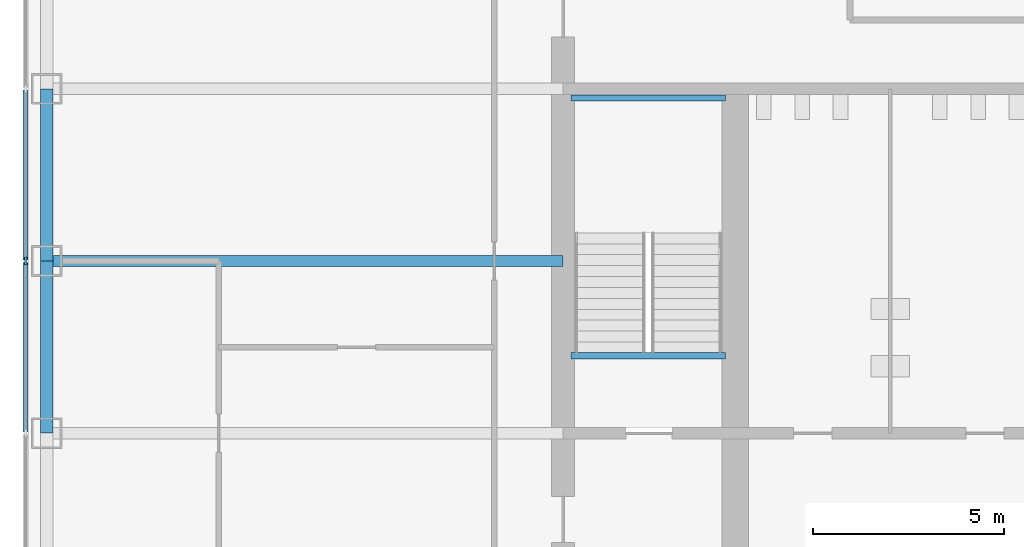
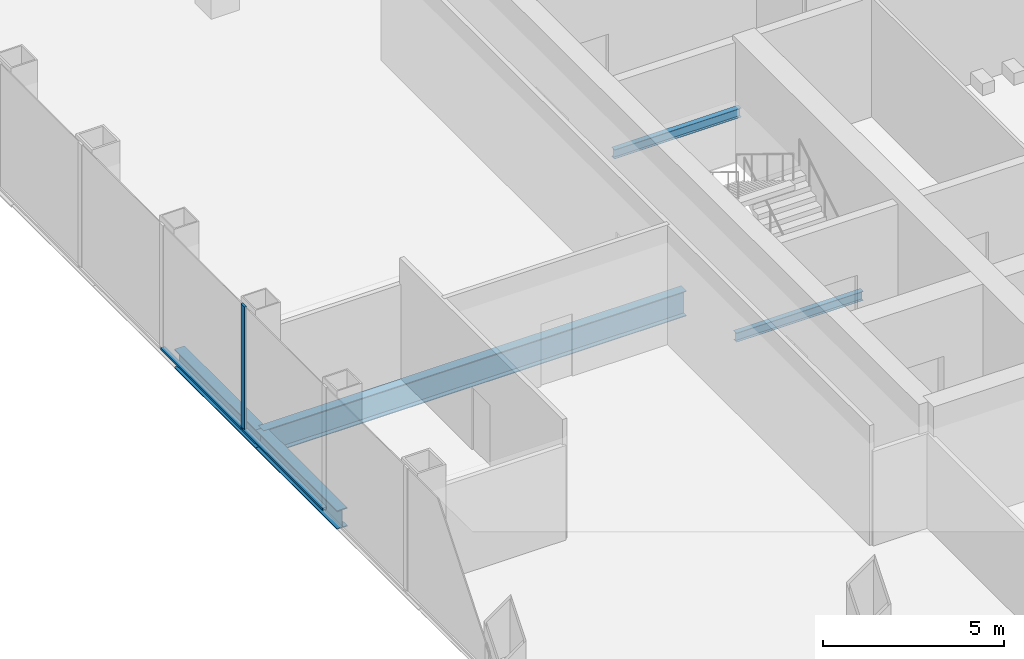
# One storey, part 3 of 13: 5 beams, 3 members, 1 element without a shape of its own.
"""IFC4 building model written with IfcOpenShell, lengths in metres."""

from ifc_helpers import new_model, si_unit, direction, frame, origin, origin_2d, place, context, subcontext, project, spatial, rectangle, i_section, extrude, material, material_profile, profile_set, type_object, element, aggregate, save


model = new_model("IFC4")

# Units and contexts
model_context = context("Model", 3, precision=1e-05, world=origin(), true_north=direction((0.0, 1.0)))
body_context = subcontext(model_context, "Body", "Model", "MODEL_VIEW")
ifc_project = project(units=[si_unit("LENGTHUNIT", "METRE"), si_unit("AREAUNIT", "SQUARE_METRE"), si_unit("VOLUMEUNIT", "CUBIC_METRE"), si_unit("PLANEANGLEUNIT", "RADIAN"), si_unit("MASSUNIT", "GRAM", prefix="KILO")], contexts=[model_context])

# Site, building, storey
site_placement = place(None, origin())
site = spatial("IfcSite", under=ifc_project, at=site_placement, CompositionType="ELEMENT")
building_placement = place(site_placement, origin())
building = spatial("IfcBuilding", under=site, at=building_placement, Name="Corais Broadcast Tower", CompositionType="ELEMENT")
storey_placement = place(building_placement, frame((0.0, 0.0, 66.800048828125)))
storey = spatial("IfcBuildingStorey", under=building, at=storey_placement, Name="L14", CompositionType="ELEMENT", Elevation=66.800048828125)

# Beams
ifc_material_1 = material(Name="Steel ASTM A572 Grade 50", Category="steel")
ifc_material_profile_1 = material_profile(ifc_material_1, i_section(OverallWidth=0.2939453125, OverallDepth=0.85107421875, WebThickness=0.01611328125, FlangeThickness=0.02685546875, at=origin_2d()), Name="W840x226")
ifc_profile_set_1 = profile_set([ifc_material_profile_1], Name="Steel ASTM A572 Grade 50")
beam_type_1 = type_object("IfcBeamType", Name="Floor beam W840x226", PredefinedType="BEAM", material=ifc_profile_set_1)
beam_placement = place(storey_placement, frame((0.0, 27.0, -0.58544921875), z_axis=(1.0, 0.0, 0.0), x_axis=(0.0, 1.0, 0.0)))
element("IfcBeam", 1, at=beam_placement, inside=storey, type_object=beam_type_1, Name="B1 G/3 to G/6", PredefinedType="BEAM", context=body_context, shape_type="SweptSolid", body=[
    extrude(i_section(OverallWidth=0.2939453125, OverallDepth=0.85107421875, WebThickness=0.01611328125, FlangeThickness=0.02685546875, at=origin_2d()), origin(), (0.0, 0.0, 1.0), 13.5),
])
ifc_material_2 = material(Name="Steel ASTM A572 Grade 50", Category="steel")
ifc_material_profile_2 = material_profile(ifc_material_2, i_section(OverallWidth=0.1650390625, OverallDepth=0.31005859375, WebThickness=0.005859375, FlangeThickness=0.009765625, at=origin_2d()), Name="W310x38.7")
ifc_profile_set_2 = profile_set([ifc_material_profile_2], Name="Steel ASTM A572 Grade 50")
beam_type_2 = type_object("IfcBeamType", Name="Landing trimmer W310x38.7", PredefinedType="BEAM", material=ifc_profile_set_2)
for number, where, z_axis, x_axis, name in (
    (2, (13.699951171875, 24.52490234375, -0.35498046875), (1.0, 0.0, 0.0), (0.0, 1.0, 0.0), "LT1 stair A landing trimmer L14"),
    (3, (13.699951171875, 31.260009765625, 1.744873046875), (1.0, 0.0, 0.0), (0.0, 1.0, 0.0), "LT1 stair A half landing trimmer L14"),
):
    element("IfcBeam", number, at=place(storey_placement, frame(where, z_axis=z_axis, x_axis=x_axis)), inside=storey, type_object=beam_type_2, Name=name, PredefinedType="BEAM", context=body_context, shape_type="SweptSolid", body=[
        extrude(i_section(OverallWidth=0.1650390625, OverallDepth=0.31005859375, WebThickness=0.005859375, FlangeThickness=0.009765625, at=origin_2d()), origin(), (0.0, 0.0, 1.0), 4.050048828125),
    ])

# Curtain wall, member
ifc_material_3 = material(Name="Aluminium and glass", Category="aluminium")
curtain_wall_type = type_object("IfcCurtainWallType", Name="Unitised fritted curtain wall CW1", PredefinedType="NOTDEFINED", material=ifc_material_3)
curtain_wall_placement = place(storey_placement, origin())
curtain_wall = element("IfcCurtainWall", 4, at=curtain_wall_placement, inside=storey, type_object=curtain_wall_type, Name="CW1 curtain wall L14 2", PredefinedType="NOTDEFINED")
ifc_material_4 = material(Name="Aluminium 6063-T6", Category="aluminium")
ifc_material_profile_3 = material_profile(ifc_material_4, rectangle(XDim=0.06494140625, YDim=0.199951171875, at=origin_2d()), Name="Mullion CW1 65x200")
ifc_profile_set_3 = profile_set([ifc_material_profile_3], Name="Aluminium 6063-T6")
member_type_1 = type_object("IfcMemberType", Name="Mullion CW1 65x200", PredefinedType="MULLION", material=ifc_profile_set_3)
member_1_placement = place(storey_placement, frame((-0.550048828125, 27.0, 0.0), z_axis=(0.0, 0.0, 1.0), x_axis=(-1.0, 0.0, 0.0)))
member_1 = element("IfcMember", 5, at=member_1_placement, type_object=member_type_1, Name="CW1 mullion 6", PredefinedType="MULLION", context=body_context, shape_type="SweptSolid", body=[
    extrude(rectangle(XDim=0.06494140625, YDim=0.199951171875, at=origin_2d()), origin(), (0.0, 0.0, 1.0), 4.199951171875),
])

# Beams
ifc_material_5 = material(Name="Steel ASTM A572 Grade 50", Category="steel")
ifc_material_profile_4 = material_profile(ifc_material_5, i_section(OverallWidth=0.3291015625, OverallDepth=0.635009765625, WebThickness=0.017822265625, FlangeThickness=0.031005859375, at=origin_2d()), Name="W610x241")
ifc_profile_set_4 = profile_set([ifc_material_profile_4], Name="Steel ASTM A572 Grade 50")
beam_type_3 = type_object("IfcBeamType", Name="Spandrel W610x241", PredefinedType="BEAM", material=ifc_profile_set_4)
for number, where, z_axis, x_axis, name in (
    (6, (0.0, 27.0, -0.4775390625), (0.0, -1.0, 0.0), (1.0, 0.0, 0.0), "SB1 G/3 to F/3"),
    (7, (0.0, 31.5, -0.4775390625), (0.0, -1.0, 0.0), (1.0, 0.0, 0.0), "SB1 H/3 to G/3"),
):
    element("IfcBeam", number, at=place(storey_placement, frame(where, z_axis=z_axis, x_axis=x_axis)), inside=storey, type_object=beam_type_3, Name=name, PredefinedType="BEAM", context=body_context, shape_type="SweptSolid", body=[
        extrude(i_section(OverallWidth=0.3291015625, OverallDepth=0.635009765625, WebThickness=0.017822265625, FlangeThickness=0.031005859375, at=origin_2d()), origin(), (0.0, 0.0, 1.0), 4.5),
    ])

# Member
ifc_material_6 = material(Name="Aluminium 6063-T6", Category="aluminium")
ifc_material_profile_5 = material_profile(ifc_material_6, rectangle(XDim=0.139892578125, YDim=0.06494140625, at=origin_2d()), Name="Transom CW1 65x140")
ifc_profile_set_5 = profile_set([ifc_material_profile_5], Name="Aluminium 6063-T6")
member_type_2 = type_object("IfcMemberType", Name="Transom CW1 65x140", PredefinedType="USERDEFINED", material=ifc_profile_set_5)
member_2_placement = place(storey_placement, frame((-0.550048828125, 22.532470703125, 0.032470703125), z_axis=(0.0, 1.0, 0.0), x_axis=(-1.0, 0.0, 0.0)))
member_2 = element("IfcMember", 8, at=member_2_placement, type_object=member_type_2, Name="CW1 transom 5.1", ObjectType="TRANSOM", PredefinedType="USERDEFINED", context=body_context, shape_type="SweptSolid", body=[
    extrude(rectangle(XDim=0.139892578125, YDim=0.06494140625, at=origin_2d()), origin(), (0.0, 0.0, 1.0), 4.43505859375),
])

member_3_placement = place(storey_placement, frame((-0.550048828125, 27.032470703125, 0.032470703125), z_axis=(0.0, 1.0, 0.0), x_axis=(-1.0, 0.0, 0.0)))
member_3 = element("IfcMember", 9, at=member_3_placement, type_object=member_type_2, Name="CW1 transom 6.1", ObjectType="TRANSOM", PredefinedType="USERDEFINED", context=body_context, shape_type="SweptSolid", body=[
    extrude(rectangle(XDim=0.139892578125, YDim=0.06494140625, at=origin_2d()), origin(), (0.0, 0.0, 1.0), 4.43505859375),
])

aggregate(curtain_wall, [member_1, member_2, member_3])

save(model, "model.ifc")
